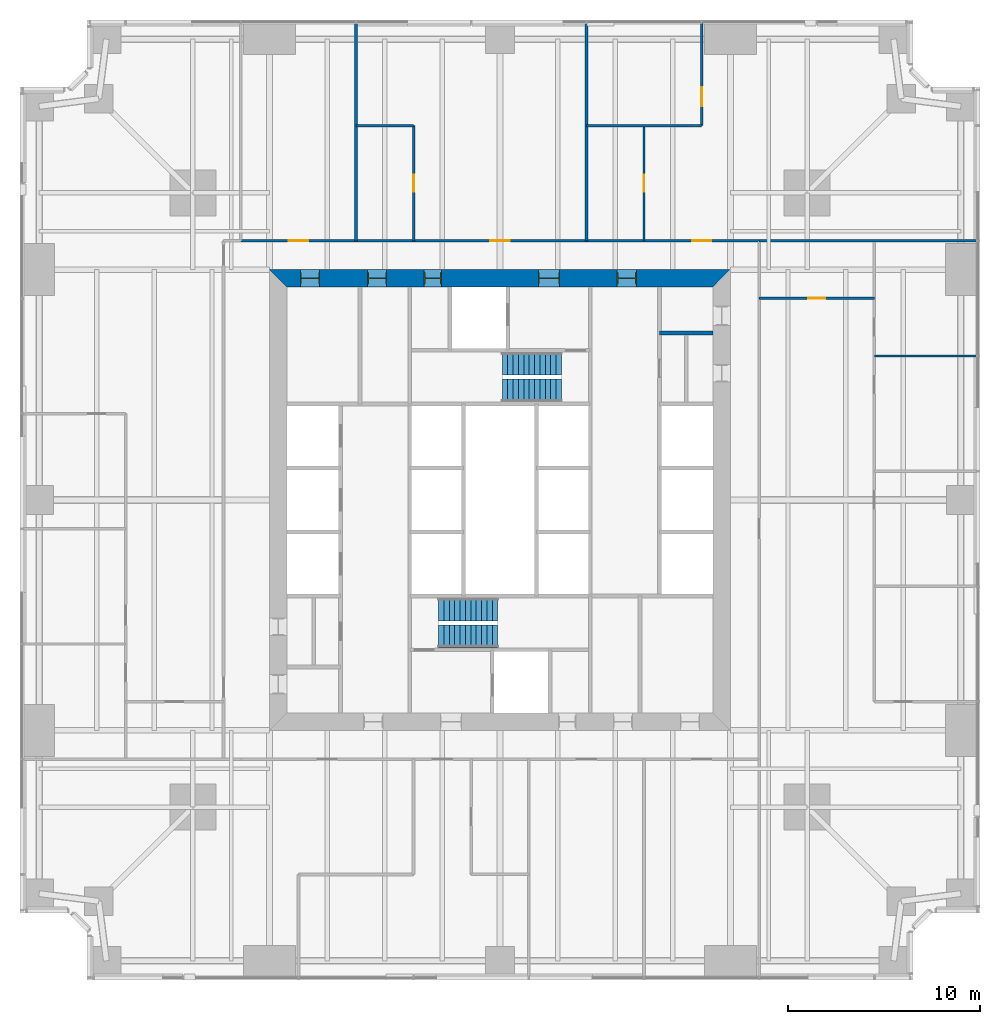
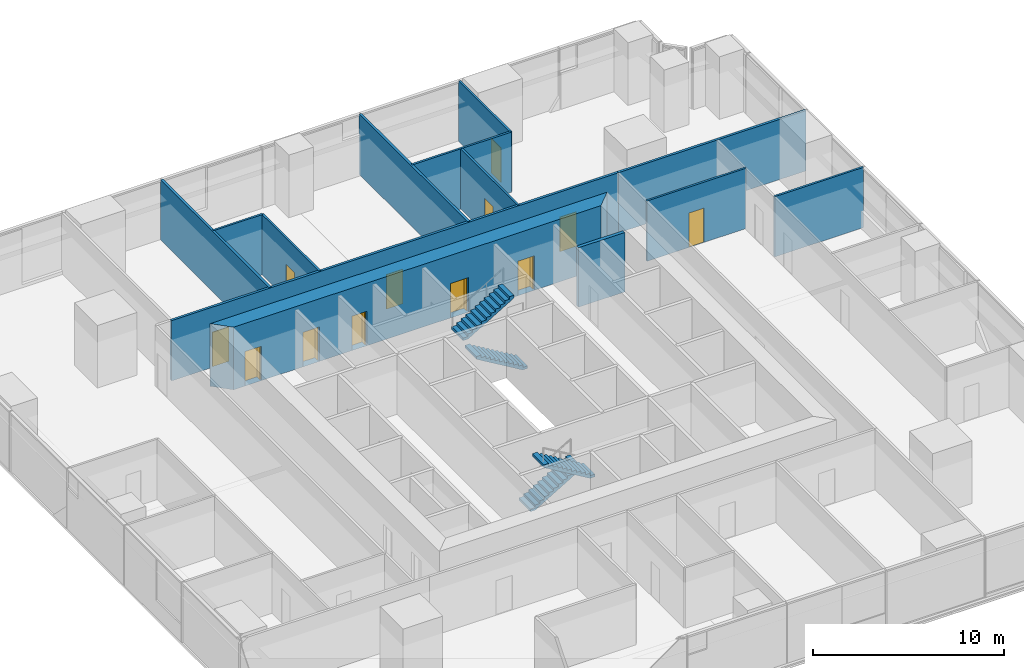
# One storey, part 11 of 13: 13 walls, 12 doors, 4 stair flights, 12 openings, 2 elements without a shape of their own.
"""IFC4 building model written with IfcOpenShell, lengths in metres."""

from ifc_helpers import new_model, si_unit, direction, frame, frame_2d, origin, place, context, subcontext, project, spatial, polyline, rectangle, outline, extrude, material, layer, layer_set, type_object, element, fill, aggregate, save


model = new_model("IFC4")

# Units and contexts
model_context = context("Model", 3, precision=1e-05, world=origin(), true_north=direction((0.0, 1.0)))
body_context = subcontext(model_context, "Body", "Model", "MODEL_VIEW")
ifc_project = project(units=[si_unit("LENGTHUNIT", "METRE"), si_unit("AREAUNIT", "SQUARE_METRE"), si_unit("VOLUMEUNIT", "CUBIC_METRE"), si_unit("PLANEANGLEUNIT", "RADIAN"), si_unit("MASSUNIT", "GRAM", prefix="KILO")], contexts=[model_context])

# Site, building, storey
site_placement = place(None, origin())
site = spatial("IfcSite", under=ifc_project, at=site_placement, CompositionType="ELEMENT")
building_placement = place(site_placement, origin())
building = spatial("IfcBuilding", under=site, at=building_placement, Name="Fenwick Lantern Interchange", CompositionType="ELEMENT")
storey_placement = place(building_placement, frame((0.0, 0.0, 39.0)))
storey = spatial("IfcBuildingStorey", under=building, at=storey_placement, Name="L08", CompositionType="ELEMENT", Elevation=39.0)

# Wall
ifc_material_1 = material(Name="Concrete masonry ASTM C90 Grade N", Category="masonry")
ifc_layer_1 = layer(ifc_material_1, 0.199951171875)
ifc_layer_set_1 = layer_set([ifc_layer_1], Name="Concrete masonry ASTM C90 Grade N")
wall_type_1 = type_object("IfcWallType", Name="CORE PARTITION 200", PredefinedType="PARTITIONING", material=ifc_layer_set_1)
wall_1_placement = place(storey_placement, frame((36.10009765625, 33.699951171875, 0.0), z_axis=(0.0, 0.0, 1.0), x_axis=(-1.0, 0.0, 0.0)))
element("IfcWall", 1, at=wall_1_placement, inside=storey, type_object=wall_type_1, Name="L08/W/COREN/p1", PredefinedType="PARTITIONING", context=body_context, shape_type="SweptSolid", body=[
    extrude(rectangle(XDim=2.800048828125, YDim=0.199951171875, at=frame_2d((1.39990234375, 0.0))), origin(), (0.0, 0.0, 1.0), 3.800048828125),
])

# Wall, openings, doors
ifc_material_2 = material(Name="Concrete f'c 70 MPa", Category="concrete")
ifc_layer_2 = layer(ifc_material_2, 0.89990234375)
ifc_layer_set_2 = layer_set([ifc_layer_2], Name="CORE WALL 900")
wall_type_2 = type_object("IfcWallType", Name="CORE WALL 900", PredefinedType="SHEAR", material=ifc_layer_set_2)
wall_2_placement = place(storey_placement, frame((37.0, 36.550048828125, 0.0), z_axis=(0.0, 0.0, 1.0), x_axis=(-1.0, 0.0, 0.0)))
wall_2 = element("IfcWall", 2, at=wall_2_placement, inside=storey, type_object=wall_type_2, Name="L08/CORE/N", PredefinedType="SHEAR", context=body_context, shape_type="SweptSolid", body=[
    extrude(outline(polyline([(0.0, -0.449951171875), (24.0, -0.449951171875), (23.10009765625, 0.449951171875), (0.89990234375, 0.449951171875), (0.0, -0.449951171875)])), origin(), (0.0, 0.0, 1.0), 4.0),
])
opening_1_placement = place(wall_2_placement, frame((4.89990234375, 0.0, 0.0)))
opening_1 = element("IfcOpeningElement", 3, at=opening_1_placement, cuts=wall_2, Name="Opening L08-D010", PredefinedType="OPENING", context=body_context, shape_type="SweptSolid", body=[
    extrude(rectangle(XDim=1.0, YDim=2.199951171875, at=frame_2d((0.5, 1.10009765625))), frame((0.0, 0.4599609375, 0.0), z_axis=(0.0, -1.0, 0.0), x_axis=(1.0, 0.0, 0.0)), (0.0, 0.0, 1.0), 0.919921875),
])
opening_2_placement = place(wall_2_placement, frame((8.89990234375, 0.0, 0.0)))
opening_2 = element("IfcOpeningElement", 4, at=opening_2_placement, cuts=wall_2, Name="Opening L08-D011", PredefinedType="OPENING", context=body_context, shape_type="SweptSolid", body=[
    extrude(rectangle(XDim=1.10009765625, YDim=2.199951171875, at=frame_2d((0.550048828125, 1.10009765625))), frame((0.0, 0.4599609375, 0.0), z_axis=(0.0, -1.0, 0.0), x_axis=(1.0, 0.0, 0.0)), (0.0, 0.0, 1.0), 0.919921875),
])
opening_3_placement = place(wall_2_placement, frame((15.050048828125, 0.0, 0.0)))
opening_3 = element("IfcOpeningElement", 5, at=opening_3_placement, cuts=wall_2, Name="Opening L08-D013", PredefinedType="OPENING", context=body_context, shape_type="SweptSolid", body=[
    extrude(rectangle(XDim=0.89990234375, YDim=2.199951171875, at=frame_2d((0.449951171875, 1.10009765625))), frame((0.0, 0.4599609375, 0.0), z_axis=(0.0, -1.0, 0.0), x_axis=(1.0, 0.0, 0.0)), (0.0, 0.0, 1.0), 0.919921875),
])
opening_4_placement = place(wall_2_placement, frame((17.89990234375, 0.0, 0.0)))
opening_4 = element("IfcOpeningElement", 6, at=opening_4_placement, cuts=wall_2, Name="Opening L08-D014", PredefinedType="OPENING", context=body_context, shape_type="SweptSolid", body=[
    extrude(rectangle(XDim=1.0, YDim=2.199951171875, at=frame_2d((0.5, 1.10009765625))), frame((0.0, 0.4599609375, 0.0), z_axis=(0.0, -1.0, 0.0), x_axis=(1.0, 0.0, 0.0)), (0.0, 0.0, 1.0), 0.919921875),
])
opening_5_placement = place(wall_2_placement, frame((21.39990234375, 0.0, 0.0)))
opening_5 = element("IfcOpeningElement", 7, at=opening_5_placement, cuts=wall_2, Name="Opening L08-D015", PredefinedType="OPENING", context=body_context, shape_type="SweptSolid", body=[
    extrude(rectangle(XDim=1.0, YDim=2.199951171875, at=frame_2d((0.5, 1.10009765625))), frame((0.0, 0.4599609375, 0.0), z_axis=(0.0, -1.0, 0.0), x_axis=(1.0, 0.0, 0.0)), (0.0, 0.0, 1.0), 0.919921875),
])
ifc_material_3 = material(Name="Steel door and frame", Category="steel")
door_type_1 = type_object("IfcDoorType", Name="CORE LOBBY DOOR 1000 X 2200", OperationType="SINGLE_SWING_LEFT", PredefinedType="DOOR", material=ifc_material_3)
door_1_placement = place(opening_1_placement, origin())
door_1 = element("IfcDoor", 8, at=door_1_placement, inside=storey, type_object=door_type_1, Name="Core lobby door", OperationType="SINGLE_SWING_LEFT", OverallHeight=2.199951171875, OverallWidth=1.0, PredefinedType="DOOR", context=body_context, shape_type="SweptSolid", body=[
    extrude(rectangle(XDim=1.0, YDim=2.199951171875, at=frame_2d((0.5, 1.10009765625))), frame((0.0, 0.02490234375, 0.0), z_axis=(0.0, -1.0, 0.0), x_axis=(1.0, 0.0, 0.0)), (0.0, 0.0, 1.0), 0.050048828125),
    extrude(outline(polyline([(0.0, 0.0), (0.0400390625, 0.0), (0.0400390625, 2.159912109375), (0.9599609375, 2.159912109375), (0.9599609375, 0.0), (1.0, 0.0), (1.0, 2.199951171875), (0.0, 2.199951171875), (0.0, 0.0)])), frame((0.0, 0.300048828125, 0.0), z_axis=(0.0, -1.0, 0.0), x_axis=(1.0, 0.0, 0.0)), (0.0, 0.0, 1.0), 0.60009765625),
])
fill(opening_1, door_1)
door_type_2 = type_object("IfcDoorType", Name="FIRE LOBBY DOOR 1100 X 2200", OperationType="SINGLE_SWING_LEFT", PredefinedType="DOOR", material=ifc_material_3)
door_2_placement = place(opening_2_placement, origin())
door_2 = element("IfcDoor", 9, at=door_2_placement, inside=storey, type_object=door_type_2, Name="Fire lobby door", OperationType="SINGLE_SWING_LEFT", OverallHeight=2.199951171875, OverallWidth=1.10009765625, PredefinedType="DOOR", context=body_context, shape_type="SweptSolid", body=[
    extrude(rectangle(XDim=1.10009765625, YDim=2.199951171875, at=frame_2d((0.550048828125, 1.10009765625))), frame((0.0, 0.02490234375, 0.0), z_axis=(0.0, -1.0, 0.0), x_axis=(1.0, 0.0, 0.0)), (0.0, 0.0, 1.0), 0.050048828125),
    extrude(outline(polyline([(0.0, 0.0), (0.0400390625, 0.0), (0.0400390625, 2.159912109375), (1.06005859375, 2.159912109375), (1.06005859375, 0.0), (1.10009765625, 0.0), (1.10009765625, 2.199951171875), (0.0, 2.199951171875), (0.0, 0.0)])), frame((0.0, 0.300048828125, 0.0), z_axis=(0.0, -1.0, 0.0), x_axis=(1.0, 0.0, 0.0)), (0.0, 0.0, 1.0), 0.60009765625),
])
fill(opening_2, door_2)
door_type_3 = type_object("IfcDoorType", Name="SERVICE DOOR 900 X 2200", OperationType="SINGLE_SWING_LEFT", PredefinedType="DOOR", material=ifc_material_3)
door_3_placement = place(opening_3_placement, origin())
door_3 = element("IfcDoor", 10, at=door_3_placement, inside=storey, type_object=door_type_3, Name="Service door", OperationType="SINGLE_SWING_LEFT", OverallHeight=2.199951171875, OverallWidth=0.89990234375, PredefinedType="DOOR", context=body_context, shape_type="SweptSolid", body=[
    extrude(rectangle(XDim=0.89990234375, YDim=2.199951171875, at=frame_2d((0.449951171875, 1.10009765625))), frame((0.0, 0.02490234375, 0.0), z_axis=(0.0, -1.0, 0.0), x_axis=(1.0, 0.0, 0.0)), (0.0, 0.0, 1.0), 0.050048828125),
    extrude(outline(polyline([(0.0, 0.0), (0.0400390625, 0.0), (0.0400390625, 2.159912109375), (0.85986328125, 2.159912109375), (0.85986328125, 0.0), (0.89990234375, 0.0), (0.89990234375, 2.199951171875), (0.0, 2.199951171875), (0.0, 0.0)])), frame((0.0, 0.300048828125, 0.0), z_axis=(0.0, -1.0, 0.0), x_axis=(1.0, 0.0, 0.0)), (0.0, 0.0, 1.0), 0.60009765625),
])
fill(opening_3, door_3)
ifc_material_4 = material(Name="Hardwood door and steel frame", Category="steel")
door_type_4 = type_object("IfcDoorType", Name="WC DOOR 1000 X 2200", OperationType="SINGLE_SWING_LEFT", PredefinedType="DOOR", material=ifc_material_4)
door_4_placement = place(opening_4_placement, origin())
door_4 = element("IfcDoor", 11, at=door_4_placement, inside=storey, type_object=door_type_4, Name="Wc door", OperationType="SINGLE_SWING_RIGHT", OverallHeight=2.199951171875, OverallWidth=1.0, PredefinedType="DOOR", context=body_context, shape_type="SweptSolid", body=[
    extrude(rectangle(XDim=1.0, YDim=2.199951171875, at=frame_2d((0.5, 1.10009765625))), frame((0.0, 0.02490234375, 0.0), z_axis=(0.0, -1.0, 0.0), x_axis=(1.0, 0.0, 0.0)), (0.0, 0.0, 1.0), 0.050048828125),
    extrude(outline(polyline([(0.0, 0.0), (0.0400390625, 0.0), (0.0400390625, 2.159912109375), (0.9599609375, 2.159912109375), (0.9599609375, 0.0), (1.0, 0.0), (1.0, 2.199951171875), (0.0, 2.199951171875), (0.0, 0.0)])), frame((0.0, 0.300048828125, 0.0), z_axis=(0.0, -1.0, 0.0), x_axis=(1.0, 0.0, 0.0)), (0.0, 0.0, 1.0), 0.60009765625),
])
fill(opening_4, door_4)
door_5_placement = place(opening_5_placement, origin())
door_5 = element("IfcDoor", 12, at=door_5_placement, inside=storey, type_object=door_type_4, Name="Wc door", OperationType="SINGLE_SWING_RIGHT", OverallHeight=2.199951171875, OverallWidth=1.0, PredefinedType="DOOR", context=body_context, shape_type="SweptSolid", body=[
    extrude(rectangle(XDim=1.0, YDim=2.199951171875, at=frame_2d((0.5, 1.10009765625))), frame((0.0, 0.02490234375, 0.0), z_axis=(0.0, -1.0, 0.0), x_axis=(1.0, 0.0, 0.0)), (0.0, 0.0, 1.0), 0.050048828125),
    extrude(outline(polyline([(0.0, 0.0), (0.0400390625, 0.0), (0.0400390625, 2.159912109375), (0.9599609375, 2.159912109375), (0.9599609375, 0.0), (1.0, 0.0), (1.0, 2.199951171875), (0.0, 2.199951171875), (0.0, 0.0)])), frame((0.0, 0.300048828125, 0.0), z_axis=(0.0, -1.0, 0.0), x_axis=(1.0, 0.0, 0.0)), (0.0, 0.0, 1.0), 0.60009765625),
])
fill(opening_5, door_5)

ifc_material_5 = material(Name="Gypsum board on steel studs, 1 hour", Category="steel")
ifc_layer_3 = layer(ifc_material_5, 0.14990234375)
ifc_layer_set_3 = layer_set([ifc_layer_3], Name="CORRIDOR WALL 150")
wall_type_3 = type_object("IfcWallType", Name="CORRIDOR WALL 150", PredefinedType="PARTITIONING", material=ifc_layer_set_3)
wall_3_placement = place(storey_placement, frame((38.5, 38.5, 0.0), z_axis=(0.0, 0.0, 1.0), x_axis=(-1.0, 0.0, 0.0)))
wall_3 = element("IfcWall", 13, at=wall_3_placement, inside=storey, type_object=wall_type_3, Name="L08/W/OFF/N/CW", PredefinedType="PARTITIONING", context=body_context, shape_type="SweptSolid", body=[
    extrude(rectangle(XDim=27.0, YDim=0.14990234375, at=frame_2d((13.5, 0.0))), origin(), (0.0, 0.0, 1.0), 3.85009765625),
])
opening_6_placement = place(wall_3_placement, frame((2.5, 0.0, 0.0)))
opening_6 = element("IfcOpeningElement", 14, at=opening_6_placement, cuts=wall_3, Name="Opening L08-D030", PredefinedType="OPENING", context=body_context, shape_type="SweptSolid", body=[
    extrude(rectangle(XDim=1.0, YDim=2.199951171875, at=frame_2d((0.5, 1.10009765625))), frame((0.0, 0.0849609375, 0.0), z_axis=(0.0, -1.0, 0.0), x_axis=(1.0, 0.0, 0.0)), (0.0, 0.0, 1.0), 0.169921875),
])
opening_7_placement = place(wall_3_placement, frame((13.0, 0.0, 0.0)))
opening_7 = element("IfcOpeningElement", 15, at=opening_7_placement, cuts=wall_3, Name="Opening L08-D033", PredefinedType="OPENING", context=body_context, shape_type="SweptSolid", body=[
    extrude(rectangle(XDim=1.0, YDim=2.199951171875, at=frame_2d((0.5, 1.10009765625))), frame((0.0, 0.0849609375, 0.0), z_axis=(0.0, -1.0, 0.0), x_axis=(1.0, 0.0, 0.0)), (0.0, 0.0, 1.0), 0.169921875),
])
opening_8_placement = place(wall_3_placement, frame((23.5, 0.0, 0.0)))
opening_8 = element("IfcOpeningElement", 16, at=opening_8_placement, cuts=wall_3, Name="Opening L08-D035", PredefinedType="OPENING", context=body_context, shape_type="SweptSolid", body=[
    extrude(rectangle(XDim=1.0, YDim=2.199951171875, at=frame_2d((0.5, 1.10009765625))), frame((0.0, 0.0849609375, 0.0), z_axis=(0.0, -1.0, 0.0), x_axis=(1.0, 0.0, 0.0)), (0.0, 0.0, 1.0), 0.169921875),
])
door_type_5 = type_object("IfcDoorType", Name="SUITE ENTRANCE DOOR 1000 X 2200", OperationType="SINGLE_SWING_LEFT", PredefinedType="DOOR", material=ifc_material_3)
door_6_placement = place(opening_6_placement, frame((1.0, 0.0, 0.0), z_axis=(0.0, 0.0, 1.0), x_axis=(-1.0, 0.0, 0.0)))
door_6 = element("IfcDoor", 17, at=door_6_placement, inside=storey, type_object=door_type_5, Name="Suite entrance door", OperationType="SINGLE_SWING_LEFT", OverallHeight=2.199951171875, OverallWidth=1.0, PredefinedType="DOOR", context=body_context, shape_type="SweptSolid", body=[
    extrude(rectangle(XDim=1.0, YDim=2.199951171875, at=frame_2d((0.5, 1.10009765625))), frame((0.0, 0.02490234375, 0.0), z_axis=(0.0, -1.0, 0.0), x_axis=(1.0, 0.0, 0.0)), (0.0, 0.0, 1.0), 0.050048828125),
])
fill(opening_6, door_6)
door_7_placement = place(opening_7_placement, frame((1.0, 0.0, 0.0), z_axis=(0.0, 0.0, 1.0), x_axis=(-1.0, 0.0, 0.0)))
door_7 = element("IfcDoor", 18, at=door_7_placement, inside=storey, type_object=door_type_5, Name="Suite entrance door", OperationType="SINGLE_SWING_RIGHT", OverallHeight=2.199951171875, OverallWidth=1.0, PredefinedType="DOOR", context=body_context, shape_type="SweptSolid", body=[
    extrude(rectangle(XDim=1.0, YDim=2.199951171875, at=frame_2d((0.5, 1.10009765625))), frame((0.0, 0.02490234375, 0.0), z_axis=(0.0, -1.0, 0.0), x_axis=(1.0, 0.0, 0.0)), (0.0, 0.0, 1.0), 0.050048828125),
])
fill(opening_7, door_7)
door_8_placement = place(opening_8_placement, frame((1.0, 0.0, 0.0), z_axis=(0.0, 0.0, 1.0), x_axis=(-1.0, 0.0, 0.0)))
door_8 = element("IfcDoor", 19, at=door_8_placement, inside=storey, type_object=door_type_5, Name="Suite entrance door", OperationType="SINGLE_SWING_RIGHT", OverallHeight=2.199951171875, OverallWidth=1.0, PredefinedType="DOOR", context=body_context, shape_type="SweptSolid", body=[
    extrude(rectangle(XDim=1.0, YDim=2.199951171875, at=frame_2d((0.5, 1.10009765625))), frame((0.0, 0.02490234375, 0.0), z_axis=(0.0, -1.0, 0.0), x_axis=(1.0, 0.0, 0.0)), (0.0, 0.0, 1.0), 0.050048828125),
])
fill(opening_8, door_8)

# Wall
ifc_material_6 = material(Name="Gypsum board on steel studs, acoustic", Category="steel")
ifc_layer_4 = layer(ifc_material_6, 0.125)
ifc_layer_set_4 = layer_set([ifc_layer_4], Name="OFFICE PARTITION 125")
wall_type_4 = type_object("IfcWallType", Name="OFFICE PARTITION 125", PredefinedType="PARTITIONING", material=ifc_layer_set_4)
wall_4_placement = place(storey_placement, frame((49.85009765625, 32.5, 0.0), z_axis=(0.0, 0.0, 1.0), x_axis=(-1.0, 0.0, 0.0)))
element("IfcWall", 20, at=wall_4_placement, inside=storey, type_object=wall_type_4, Name="L08/W/OFF/E/X325-1", PredefinedType="PARTITIONING", context=body_context, shape_type="SweptSolid", body=[
    extrude(rectangle(XDim=5.35009765625, YDim=0.125, at=frame_2d((2.675048828125, 0.0))), origin(), (0.0, 0.0, 1.0), 3.85009765625),
])

# Wall, opening, door
wall_5_placement = place(storey_placement, frame((44.5, 35.5, 0.0), z_axis=(0.0, 0.0, 1.0), x_axis=(-1.0, 0.0, 0.0)))
wall_5 = element("IfcWall", 21, at=wall_5_placement, inside=storey, type_object=wall_type_4, Name="L08/W/OFF/E/X355-1", PredefinedType="PARTITIONING", context=body_context, shape_type="SweptSolid", body=[
    extrude(rectangle(XDim=6.0, YDim=0.125, at=frame_2d((3.0, 0.0))), origin(), (0.0, 0.0, 1.0), 3.85009765625),
])
opening_9_placement = place(wall_5_placement, frame((2.550048828125, 0.0, 0.0)))
opening_9 = element("IfcOpeningElement", 22, at=opening_9_placement, cuts=wall_5, Name="Opening L08-D029", PredefinedType="OPENING", context=body_context, shape_type="SweptSolid", body=[
    extrude(rectangle(XDim=0.89990234375, YDim=2.199951171875, at=frame_2d((0.449951171875, 1.10009765625))), frame((0.0, 0.072509765625, 0.0), z_axis=(0.0, -1.0, 0.0), x_axis=(1.0, 0.0, 0.0)), (0.0, 0.0, 1.0), 0.14501953125),
])
door_type_6 = type_object("IfcDoorType", Name="OFFICE DOOR 900 X 2200", OperationType="SINGLE_SWING_LEFT", PredefinedType="DOOR", material=ifc_material_4)
door_9_placement = place(opening_9_placement, frame((0.89990234375, 0.0, 0.0), z_axis=(0.0, 0.0, 1.0), x_axis=(-1.0, 0.0, 0.0)))
door_9 = element("IfcDoor", 23, at=door_9_placement, inside=storey, type_object=door_type_6, Name="Office door", OperationType="SINGLE_SWING_RIGHT", OverallHeight=2.199951171875, OverallWidth=0.89990234375, PredefinedType="DOOR", context=body_context, shape_type="SweptSolid", body=[
    extrude(rectangle(XDim=0.89990234375, YDim=2.199951171875, at=frame_2d((0.449951171875, 1.10009765625))), frame((0.0, 0.02490234375, 0.0), z_axis=(0.0, -1.0, 0.0), x_axis=(1.0, 0.0, 0.0)), (0.0, 0.0, 1.0), 0.050048828125),
])
fill(opening_9, door_9)

wall_6_placement = place(storey_placement, frame((35.5, 49.85009765625, 0.0), z_axis=(0.0, 0.0, 1.0), x_axis=(0.0, -1.0, 0.0)))
wall_6 = element("IfcWall", 24, at=wall_6_placement, inside=storey, type_object=wall_type_4, Name="L08/W/OFF/N/X145-1", PredefinedType="PARTITIONING", context=body_context, shape_type="SweptSolid", body=[
    extrude(rectangle(XDim=5.35009765625, YDim=0.125, at=frame_2d((2.675048828125, 0.0))), origin(), (0.0, 0.0, 1.0), 3.85009765625),
])
opening_10_placement = place(wall_6_placement, frame((3.35009765625, 0.0, 0.0)))
opening_10 = element("IfcOpeningElement", 25, at=opening_10_placement, cuts=wall_6, Name="Opening L08-D031", PredefinedType="OPENING", context=body_context, shape_type="SweptSolid", body=[
    extrude(rectangle(XDim=1.0, YDim=2.199951171875, at=frame_2d((0.5, 1.10009765625))), frame((0.0, 0.072509765625, 0.0), z_axis=(0.0, -1.0, 0.0), x_axis=(1.0, 0.0, 0.0)), (0.0, 0.0, 1.0), 0.14501953125),
])
door_type_7 = type_object("IfcDoorType", Name="MEETING ROOM DOOR 1000 X 2200", OperationType="SINGLE_SWING_LEFT", PredefinedType="DOOR", material=ifc_material_4)
door_10_placement = place(opening_10_placement, frame((1.0, 0.0, 0.0), z_axis=(0.0, 0.0, 1.0), x_axis=(-1.0, 0.0, 0.0)))
door_10 = element("IfcDoor", 26, at=door_10_placement, inside=storey, type_object=door_type_7, Name="Meeting room door", OperationType="SINGLE_SWING_LEFT", OverallHeight=2.199951171875, OverallWidth=1.0, PredefinedType="DOOR", context=body_context, shape_type="SweptSolid", body=[
    extrude(rectangle(XDim=1.0, YDim=2.199951171875, at=frame_2d((0.5, 1.10009765625))), frame((0.0, 0.02490234375, 0.0), z_axis=(0.0, -1.0, 0.0), x_axis=(1.0, 0.0, 0.0)), (0.0, 0.0, 1.0), 0.050048828125),
])
fill(opening_10, door_10)

wall_7_placement = place(storey_placement, frame((32.5, 44.5, 0.0), z_axis=(0.0, 0.0, 1.0), x_axis=(0.0, -1.0, 0.0)))
wall_7 = element("IfcWall", 27, at=wall_7_placement, inside=storey, type_object=wall_type_4, Name="L08/W/OFF/N/X175-1", PredefinedType="PARTITIONING", context=body_context, shape_type="SweptSolid", body=[
    extrude(rectangle(XDim=6.0, YDim=0.125, at=frame_2d((3.0, 0.0))), origin(), (0.0, 0.0, 1.0), 3.85009765625),
])
opening_11_placement = place(wall_7_placement, frame((2.550048828125, 0.0, 0.0)))
opening_11 = element("IfcOpeningElement", 28, at=opening_11_placement, cuts=wall_7, Name="Opening L08-D032", PredefinedType="OPENING", context=body_context, shape_type="SweptSolid", body=[
    extrude(rectangle(XDim=0.89990234375, YDim=2.199951171875, at=frame_2d((0.449951171875, 1.10009765625))), frame((0.0, 0.072509765625, 0.0), z_axis=(0.0, -1.0, 0.0), x_axis=(1.0, 0.0, 0.0)), (0.0, 0.0, 1.0), 0.14501953125),
])
door_11_placement = place(opening_11_placement, frame((0.89990234375, 0.0, 0.0), z_axis=(0.0, 0.0, 1.0), x_axis=(-1.0, 0.0, 0.0)))
door_11 = element("IfcDoor", 29, at=door_11_placement, inside=storey, type_object=door_type_6, Name="Office door", OperationType="SINGLE_SWING_RIGHT", OverallHeight=2.199951171875, OverallWidth=0.89990234375, PredefinedType="DOOR", context=body_context, shape_type="SweptSolid", body=[
    extrude(rectangle(XDim=0.89990234375, YDim=2.199951171875, at=frame_2d((0.449951171875, 1.10009765625))), frame((0.0, 0.02490234375, 0.0), z_axis=(0.0, -1.0, 0.0), x_axis=(1.0, 0.0, 0.0)), (0.0, 0.0, 1.0), 0.050048828125),
])
fill(opening_11, door_11)

wall_8_placement = place(storey_placement, frame((20.5, 44.5, 0.0), z_axis=(0.0, 0.0, 1.0), x_axis=(0.0, -1.0, 0.0)))
wall_8 = element("IfcWall", 30, at=wall_8_placement, inside=storey, type_object=wall_type_4, Name="L08/W/OFF/N/X295-1", PredefinedType="PARTITIONING", context=body_context, shape_type="SweptSolid", body=[
    extrude(rectangle(XDim=6.0, YDim=0.125, at=frame_2d((3.0, 0.0))), origin(), (0.0, 0.0, 1.0), 3.85009765625),
])
opening_12_placement = place(wall_8_placement, frame((2.550048828125, 0.0, 0.0)))
opening_12 = element("IfcOpeningElement", 31, at=opening_12_placement, cuts=wall_8, Name="Opening L08-D034", PredefinedType="OPENING", context=body_context, shape_type="SweptSolid", body=[
    extrude(rectangle(XDim=0.89990234375, YDim=2.199951171875, at=frame_2d((0.449951171875, 1.10009765625))), frame((0.0, 0.072509765625, 0.0), z_axis=(0.0, -1.0, 0.0), x_axis=(1.0, 0.0, 0.0)), (0.0, 0.0, 1.0), 0.14501953125),
])
door_12_placement = place(opening_12_placement, frame((0.89990234375, 0.0, 0.0), z_axis=(0.0, 0.0, 1.0), x_axis=(-1.0, 0.0, 0.0)))
door_12 = element("IfcDoor", 32, at=door_12_placement, inside=storey, type_object=door_type_6, Name="Office door", OperationType="SINGLE_SWING_RIGHT", OverallHeight=2.199951171875, OverallWidth=0.89990234375, PredefinedType="DOOR", context=body_context, shape_type="SweptSolid", body=[
    extrude(rectangle(XDim=0.89990234375, YDim=2.199951171875, at=frame_2d((0.449951171875, 1.10009765625))), frame((0.0, 0.02490234375, 0.0), z_axis=(0.0, -1.0, 0.0), x_axis=(1.0, 0.0, 0.0)), (0.0, 0.0, 1.0), 0.050048828125),
])
fill(opening_12, door_12)

# Walls
wall_9_placement = place(storey_placement, frame((35.5, 44.5, 0.0), z_axis=(0.0, 0.0, 1.0), x_axis=(-1.0, 0.0, 0.0)))
element("IfcWall", 33, at=wall_9_placement, inside=storey, type_object=wall_type_4, Name="L08/W/OFF/N/Y55-1", PredefinedType="PARTITIONING", context=body_context, shape_type="SweptSolid", body=[
    extrude(rectangle(XDim=6.0, YDim=0.125, at=frame_2d((3.0, 0.0))), origin(), (0.0, 0.0, 1.0), 3.85009765625),
])
wall_10_placement = place(storey_placement, frame((20.5, 44.5, 0.0), z_axis=(0.0, 0.0, 1.0), x_axis=(-1.0, 0.0, 0.0)))
element("IfcWall", 34, at=wall_10_placement, inside=storey, type_object=wall_type_4, Name="L08/W/OFF/N/Y55-2", PredefinedType="PARTITIONING", context=body_context, shape_type="SweptSolid", body=[
    extrude(rectangle(XDim=3.0, YDim=0.125, at=frame_2d((1.5, 0.0))), origin(), (0.0, 0.0, 1.0), 3.85009765625),
])
ifc_material_7 = material(Name="Gypsum board on steel studs, 1 hour acoustic", Category="steel")
ifc_layer_5 = layer(ifc_material_7, 0.14990234375)
ifc_layer_set_5 = layer_set([ifc_layer_5], Name="TENANT WALL 150")
wall_type_5 = type_object("IfcWallType", Name="TENANT WALL 150", PredefinedType="PARTITIONING", material=ifc_layer_set_5)
for number, where, z_axis, x_axis, name in (
    (35, (49.85009765625, 38.5, 0.0), (0.0, 0.0, 1.0), (-1.0, 0.0, 0.0), "L08/W/OFF/N/BACK"),
    (36, (29.5, 49.85009765625, 0.0), (0.0, 0.0, 1.0), (0.0, -1.0, 0.0), "L08/W/OFF/N/X205-1"),
    (37, (17.5, 49.85009765625, 0.0), (0.0, 0.0, 1.0), (0.0, -1.0, 0.0), "L08/W/OFF/N/X325-1"),
):
    element("IfcWall", number, at=place(storey_placement, frame(where, z_axis=z_axis, x_axis=x_axis)), inside=storey, type_object=wall_type_5, Name=name, PredefinedType="PARTITIONING", context=body_context, shape_type="SweptSolid", body=[
        extrude(rectangle(XDim=11.35009765625, YDim=0.14990234375, at=frame_2d((5.675048828125, 0.0))), origin(), (0.0, 0.0, 1.0), 3.85009765625),
    ])

# Stair, stair flights
ifc_material_8 = material(Name="Precast concrete f'c 35 MPa", Category="concrete")
stair_type = type_object("IfcStairType", Name="EXIT STAIR 1200", PredefinedType="HALF_TURN_STAIR", material=ifc_material_8)
stair_1_placement = place(storey_placement, origin())
stair_1 = element("IfcStair", 38, at=stair_1_placement, inside=storey, type_object=stair_type, Name="Exit stair ST1", PredefinedType="HALF_TURN_STAIR")
stair_flight_type = type_object("IfcStairFlightType", Name="STAIR FLIGHT 1200", PredefinedType="STRAIGHT", material=ifc_material_8)
stair_flight_1_placement = place(storey_placement, frame((21.800048828125, 19.300048828125, 0.0), z_axis=(0.0, 0.0, 1.0), x_axis=(1.0, 0.0, 0.0)))
stair_flight_1 = element("IfcStairFlight", 39, at=stair_flight_1_placement, type_object=stair_flight_type, Name="ST1 flight 1", NumberOfRisers=12, NumberOfTreads=11, PredefinedType="STRAIGHT", RiserHeight=0.166666667, TreadLength=0.28, context=body_context, shape_type="SweptSolid", body=[
    extrude(outline(polyline([(0.0, 0.0), (0.0, 0.166748046875), (0.280029296875, 0.166748046875), (0.280029296875, 0.333251953125), (0.56005859375, 0.333251953125), (0.56005859375, 0.5), (0.840087890625, 0.5), (0.840087890625, 0.666748046875), (1.1201171875, 0.666748046875), (1.1201171875, 0.833251953125), (1.39990234375, 0.833251953125), (1.39990234375, 1.0), (1.679931640625, 1.0), (1.679931640625, 1.166748046875), (1.9599609375, 1.166748046875), (1.9599609375, 1.333251953125), (2.239990234375, 1.333251953125), (2.239990234375, 1.5), (2.52001953125, 1.5), (2.52001953125, 1.666748046875), (2.800048828125, 1.666748046875), (2.800048828125, 1.833251953125), (3.080078125, 1.833251953125), (3.080078125, 2.0), (3.080078125, 1.658935546875), (0.29296875, 0.0), (0.0, 0.0)])), frame((0.0, 0.60009765625, 0.0), z_axis=(0.0, -1.0, 0.0), x_axis=(1.0, 0.0, 0.0)), (0.0, 0.0, 1.0), 1.199951171875),
])
stair_flight_2_placement = place(storey_placement, frame((24.8798828125, 17.89990234375, 2.0), z_axis=(0.0, 0.0, 1.0), x_axis=(-1.0, 0.0, 0.0)))
stair_flight_2 = element("IfcStairFlight", 40, at=stair_flight_2_placement, type_object=stair_flight_type, Name="ST1 flight 2", NumberOfRisers=12, NumberOfTreads=11, PredefinedType="STRAIGHT", RiserHeight=0.166666667, TreadLength=0.28, context=body_context, shape_type="SweptSolid", body=[
    extrude(outline(polyline([(0.0, 0.0), (0.0, 0.166748046875), (0.280029296875, 0.166748046875), (0.280029296875, 0.333251953125), (0.56005859375, 0.333251953125), (0.56005859375, 0.5), (0.840087890625, 0.5), (0.840087890625, 0.666748046875), (1.1201171875, 0.666748046875), (1.1201171875, 0.833251953125), (1.39990234375, 0.833251953125), (1.39990234375, 1.0), (1.679931640625, 1.0), (1.679931640625, 1.166748046875), (1.9599609375, 1.166748046875), (1.9599609375, 1.333251953125), (2.239990234375, 1.333251953125), (2.239990234375, 1.5), (2.52001953125, 1.5), (2.52001953125, 1.666748046875), (2.800048828125, 1.666748046875), (2.800048828125, 1.833251953125), (3.080078125, 1.833251953125), (3.080078125, 2.0), (3.080078125, 1.658935546875), (0.29296875, 0.0), (0.0, 0.0)])), frame((0.0, 0.60009765625, 0.0), z_axis=(0.0, -1.0, 0.0), x_axis=(1.0, 0.0, 0.0)), (0.0, 0.0, 1.0), 1.199951171875),
])
aggregate(stair_1, [stair_flight_1, stair_flight_2])

stair_2_placement = place(storey_placement, origin())
stair_2 = element("IfcStair", 41, at=stair_2_placement, inside=storey, type_object=stair_type, Name="Exit stair ST2", PredefinedType="HALF_TURN_STAIR")
stair_flight_3_placement = place(storey_placement, frame((28.199951171875, 30.699951171875, 0.0), z_axis=(0.0, 0.0, 1.0), x_axis=(-1.0, 0.0, 0.0)))
stair_flight_3 = element("IfcStairFlight", 42, at=stair_flight_3_placement, type_object=stair_flight_type, Name="ST2 flight 1", NumberOfRisers=12, NumberOfTreads=11, PredefinedType="STRAIGHT", RiserHeight=0.166666667, TreadLength=0.28, context=body_context, shape_type="SweptSolid", body=[
    extrude(outline(polyline([(0.0, 0.0), (0.0, 0.166748046875), (0.280029296875, 0.166748046875), (0.280029296875, 0.333251953125), (0.56005859375, 0.333251953125), (0.56005859375, 0.5), (0.840087890625, 0.5), (0.840087890625, 0.666748046875), (1.1201171875, 0.666748046875), (1.1201171875, 0.833251953125), (1.39990234375, 0.833251953125), (1.39990234375, 1.0), (1.679931640625, 1.0), (1.679931640625, 1.166748046875), (1.9599609375, 1.166748046875), (1.9599609375, 1.333251953125), (2.239990234375, 1.333251953125), (2.239990234375, 1.5), (2.52001953125, 1.5), (2.52001953125, 1.666748046875), (2.800048828125, 1.666748046875), (2.800048828125, 1.833251953125), (3.080078125, 1.833251953125), (3.080078125, 2.0), (3.080078125, 1.658935546875), (0.29296875, 0.0), (0.0, 0.0)])), frame((0.0, 0.60009765625, 0.0), z_axis=(0.0, -1.0, 0.0), x_axis=(1.0, 0.0, 0.0)), (0.0, 0.0, 1.0), 1.199951171875),
])
stair_flight_4_placement = place(storey_placement, frame((25.1201171875, 32.10009765625, 2.0), z_axis=(0.0, 0.0, 1.0), x_axis=(1.0, 0.0, 0.0)))
stair_flight_4 = element("IfcStairFlight", 43, at=stair_flight_4_placement, type_object=stair_flight_type, Name="ST2 flight 2", NumberOfRisers=12, NumberOfTreads=11, PredefinedType="STRAIGHT", RiserHeight=0.166666667, TreadLength=0.28, context=body_context, shape_type="SweptSolid", body=[
    extrude(outline(polyline([(0.0, 0.0), (0.0, 0.166748046875), (0.280029296875, 0.166748046875), (0.280029296875, 0.333251953125), (0.56005859375, 0.333251953125), (0.56005859375, 0.5), (0.840087890625, 0.5), (0.840087890625, 0.666748046875), (1.1201171875, 0.666748046875), (1.1201171875, 0.833251953125), (1.39990234375, 0.833251953125), (1.39990234375, 1.0), (1.679931640625, 1.0), (1.679931640625, 1.166748046875), (1.9599609375, 1.166748046875), (1.9599609375, 1.333251953125), (2.239990234375, 1.333251953125), (2.239990234375, 1.5), (2.52001953125, 1.5), (2.52001953125, 1.666748046875), (2.800048828125, 1.666748046875), (2.800048828125, 1.833251953125), (3.080078125, 1.833251953125), (3.080078125, 2.0), (3.080078125, 1.658935546875), (0.29296875, 0.0), (0.0, 0.0)])), frame((0.0, 0.60009765625, 0.0), z_axis=(0.0, -1.0, 0.0), x_axis=(1.0, 0.0, 0.0)), (0.0, 0.0, 1.0), 1.199951171875),
])
aggregate(stair_2, [stair_flight_3, stair_flight_4])

save(model, "model.ifc")
